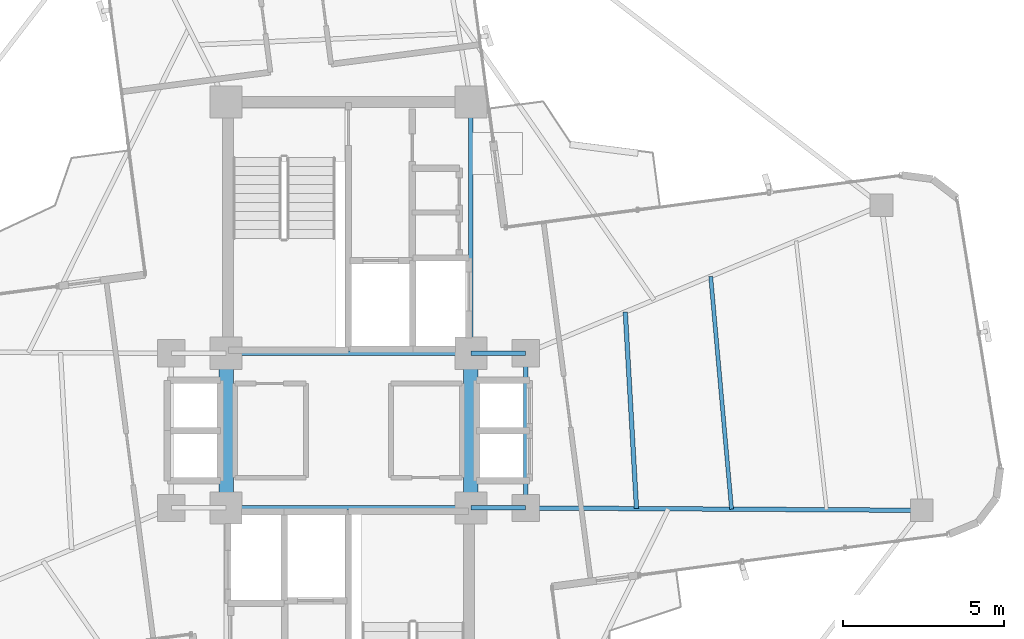
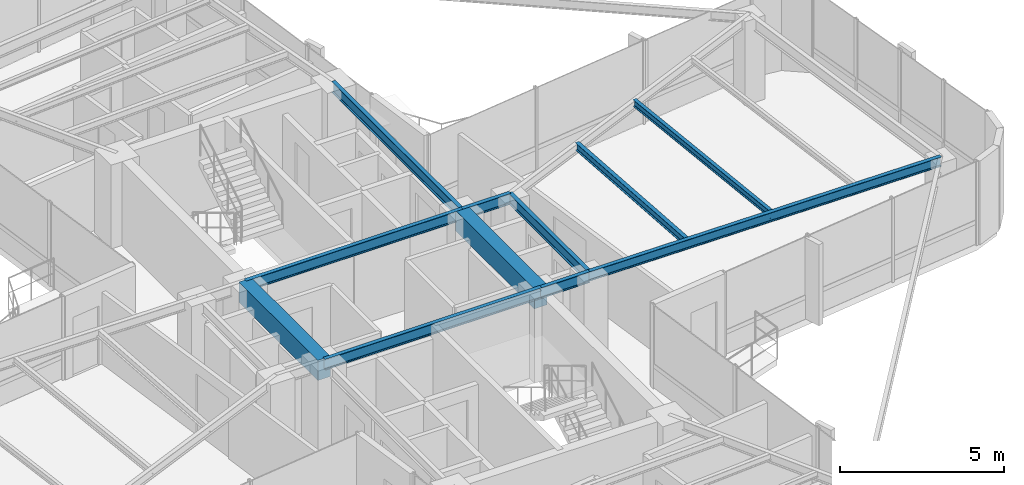
# One storey, part 10 of 22: 11 beams.
"""IFC4 building model written with IfcOpenShell, lengths in metres."""

from ifc_helpers import new_model, si_unit, direction, frame, origin, origin_2d, place, context, subcontext, project, spatial, rectangle, i_section, extrude, source, transform, mapped, material, material_profile, profile_set, type_object, element, save


model = new_model("IFC4")

# Units and contexts
model_context = context("Model", 3, precision=1e-05, world=origin(), true_north=direction((0.0, 1.0)))
body_context = subcontext(model_context, "Body", "Model", "MODEL_VIEW")
ifc_project = project(units=[si_unit("LENGTHUNIT", "METRE"), si_unit("AREAUNIT", "SQUARE_METRE"), si_unit("VOLUMEUNIT", "CUBIC_METRE"), si_unit("PLANEANGLEUNIT", "RADIAN"), si_unit("MASSUNIT", "GRAM", prefix="KILO")], contexts=[model_context])

# Site, building, storey
site_placement = place(None, origin())
site = spatial("IfcSite", under=ifc_project, at=site_placement, CompositionType="ELEMENT")
building_placement = place(site_placement, origin())
building = spatial("IfcBuilding", under=site, at=building_placement, Name="Sahyath Konkavel Grand Hotel", CompositionType="ELEMENT")
storey_placement = place(building_placement, frame((0.0, 0.0, 237.800048828125)))
storey = spatial("IfcBuildingStorey", under=building, at=storey_placement, Name="L66", CompositionType="ELEMENT", Elevation=237.800048828125)

# Beams
ifc_material_1 = material(Name="Steel E350", Category="steel")
ifc_material_profile_1 = material_profile(ifc_material_1, i_section(OverallWidth=0.139892578125, OverallDepth=0.39990234375, WebThickness=0.0087890625, FlangeThickness=0.01611328125, FilletRadius=0.013916015625, at=origin_2d()), Name="ISMB 400")
ifc_profile_set_1 = profile_set([ifc_material_profile_1], Name="Steel E350")
beam_type_1 = type_object("IfcBeamType", Name="BM-ISMB400", PredefinedType="BEAM", material=ifc_profile_set_1)
shared_shape_1 = source(origin(), body_context, "Body", "SweptSolid", [
    extrude(i_section(OverallWidth=0.139892578125, OverallDepth=0.39990234375, WebThickness=0.0087890625, FlangeThickness=0.01611328125, FilletRadius=0.013916015625, at=origin_2d()), origin(), (0.0, 0.0, 1.0), 7.60009765625),
])
for number, where, z_axis, x_axis, name in (
    (1, (-3.800048828125, 2.39990234375, 2.909912109375), (1.0, 0.0, 0.0), (0.0, 1.0, 0.0), "str:bm:L66:NC-S"),
    (2, (-3.800048828125, -2.39990234375, 2.909912109375), (1.0, 0.0, 0.0), (0.0, 1.0, 0.0), "str:bm:L66:SC-N"),
):
    element("IfcBeam", number, at=place(storey_placement, frame(where, z_axis=z_axis, x_axis=x_axis)), inside=storey, type_object=beam_type_1, Name=name, PredefinedType="BEAM", context=body_context, shape_type="MappedRepresentation", body=[
        mapped(shared_shape_1, transform((0.0, 0.0, 0.0), scale=1.0)),
    ])
shared_shape_2 = source(origin(), body_context, "Body", "SweptSolid", [
    extrude(i_section(OverallWidth=0.139892578125, OverallDepth=0.39990234375, WebThickness=0.0087890625, FlangeThickness=0.01611328125, FilletRadius=0.013916015625, at=origin_2d()), origin(), (0.0, 0.0, 1.0), 7.800048828125),
])
beam_1_placement = place(storey_placement, frame((3.800048828125, 2.39990234375, 2.909912109375), z_axis=(0.0, 1.0, 0.0), x_axis=(-1.0, 0.0, 0.0)))
element("IfcBeam", 3, at=beam_1_placement, inside=storey, type_object=beam_type_1, Name="str:bm:L66:NC-E", PredefinedType="BEAM", context=body_context, shape_type="MappedRepresentation", body=[
    mapped(shared_shape_2, transform((0.0, 0.0, 0.0), scale=1.0)),
])
shared_shape_3 = source(origin(), body_context, "Body", "SweptSolid", [
    extrude(i_section(OverallWidth=0.139892578125, OverallDepth=0.39990234375, WebThickness=0.0087890625, FlangeThickness=0.01611328125, FilletRadius=0.013916015625, at=origin_2d()), origin(), (0.0, 0.0, 1.0), 1.699951171875),
])
for number, where, z_axis, x_axis, name in (
    (4, (3.800048828125, 2.39990234375, 2.909912109375), (1.0, 0.0, 0.0), (0.0, 1.0, 0.0), "str:bm:L66:HB-NE"),
    (5, (3.800048828125, -2.39990234375, 2.909912109375), (1.0, 0.0, 0.0), (0.0, 1.0, 0.0), "str:bm:L66:HB-SE"),
):
    element("IfcBeam", number, at=place(storey_placement, frame(where, z_axis=z_axis, x_axis=x_axis)), inside=storey, type_object=beam_type_1, Name=name, PredefinedType="BEAM", context=body_context, shape_type="MappedRepresentation", body=[
        mapped(shared_shape_3, transform((0.0, 0.0, 0.0), scale=1.0)),
    ])
shared_shape_4 = source(origin(), body_context, "Body", "SweptSolid", [
    extrude(i_section(OverallWidth=0.139892578125, OverallDepth=0.39990234375, WebThickness=0.0087890625, FlangeThickness=0.01611328125, FilletRadius=0.013916015625, at=origin_2d()), origin(), (0.0, 0.0, 1.0), 4.7998046875),
])
beam_2_placement = place(storey_placement, frame((5.5, -2.39990234375, 2.909912109375), z_axis=(0.0, 1.0, 0.0), x_axis=(-1.0, 0.0, 0.0)))
element("IfcBeam", 6, at=beam_2_placement, inside=storey, type_object=beam_type_1, Name="str:bm:L66:HB-E", PredefinedType="BEAM", context=body_context, shape_type="MappedRepresentation", body=[
    mapped(shared_shape_4, transform((0.0, 0.0, 0.0), scale=1.0)),
])
ifc_material_2 = material(Name="Concrete C40/50", Category="concrete")
ifc_material_profile_2 = material_profile(ifc_material_2, rectangle(XDim=0.449951171875, YDim=0.75, at=origin_2d()), Name="RC 450x750")
ifc_profile_set_2 = profile_set([ifc_material_profile_2], Name="Concrete C40/50")
beam_type_2 = type_object("IfcBeamType", Name="BM-CB450x750", PredefinedType="LINTEL", material=ifc_profile_set_2)
shared_shape_5 = source(origin(), body_context, "Body", "SweptSolid", [
    extrude(rectangle(XDim=0.449951171875, YDim=0.75, at=origin_2d()), origin(), (0.0, 0.0, 1.0), 4.7998046875),
])
for number, where, z_axis, x_axis, name in (
    (7, (-3.800048828125, -2.39990234375, 2.73486328125), (0.0, 1.0, 0.0), (-1.0, 0.0, 0.0), "L66 Split-Core Coupling Beam West"),
    (8, (3.800048828125, -2.39990234375, 2.73486328125), (0.0, 1.0, 0.0), (-1.0, 0.0, 0.0), "L66 Split-Core Coupling Beam East"),
):
    element("IfcBeam", number, at=place(storey_placement, frame(where, z_axis=z_axis, x_axis=x_axis)), inside=storey, type_object=beam_type_2, Name=name, PredefinedType="LINTEL", context=body_context, shape_type="MappedRepresentation", body=[
        mapped(shared_shape_5, transform((0.0, 0.0, 0.0), scale=1.0)),
    ])
ifc_material_profile_3 = material_profile(ifc_material_1, i_section(OverallWidth=0.139892578125, OverallDepth=0.35009765625, WebThickness=0.008056640625, FlangeThickness=0.01416015625, FilletRadius=0.013916015625, at=origin_2d()), Name="ISMB 350")
ifc_profile_set_3 = profile_set([ifc_material_profile_3], Name="Steel E350")
beam_type_3 = type_object("IfcBeamType", Name="BM-ISMB350", PredefinedType="BEAM", material=ifc_profile_set_3)
shared_shape_6 = source(origin(), body_context, "Body", "SweptSolid", [
    extrude(i_section(OverallWidth=0.139892578125, OverallDepth=0.35009765625, WebThickness=0.008056640625, FlangeThickness=0.01416015625, FilletRadius=0.013916015625, at=origin_2d()), origin(), (0.0, 0.0, 1.0), 12.29541015625),
])
beam_3_placement = place(storey_placement, frame((5.5, -2.39990234375, 2.93505859375), z_axis=(0.999982139128, -0.005976740412, 0.0), x_axis=(0.005976740412, 0.999982139128, 0.0)))
element("IfcBeam", 9, at=beam_3_placement, inside=storey, type_object=beam_type_3, Name="L66 Cruciform Radial Girder EA", PredefinedType="BEAM", context=body_context, shape_type="MappedRepresentation", body=[
    mapped(shared_shape_6, transform((0.0, 0.0, 0.0), scale=1.0)),
])
ifc_material_profile_4 = material_profile(ifc_material_1, i_section(OverallWidth=0.139892578125, OverallDepth=0.27490234375, WebThickness=0.00634765625, FlangeThickness=0.0087890625, FilletRadius=0.012939453125, at=origin_2d()), Name="ISLB 275")
ifc_profile_set_4 = profile_set([ifc_material_profile_4], Name="Steel E350")
beam_type_4 = type_object("IfcBeamType", Name="BM-ISLB275", PredefinedType="BEAM", material=ifc_profile_set_4)
shared_shape_7 = source(origin(), body_context, "Body", "SweptSolid", [
    extrude(i_section(OverallWidth=0.139892578125, OverallDepth=0.27490234375, WebThickness=0.00634765625, FlangeThickness=0.0087890625, FilletRadius=0.012939453125, at=origin_2d()), origin(), (0.0, 0.0, 1.0), 6.1171875),
])
beam_4_placement = place(storey_placement, frame((8.942626953125, -2.420654296875, 2.972412109375), z_axis=(-0.0570725225, 0.998370035195, 0.0), x_axis=(-0.998370035195, -0.0570725225, 0.0)))
element("IfcBeam", 10, at=beam_4_placement, inside=storey, type_object=beam_type_4, Name="L66 Secondary Floor Beam E-1", PredefinedType="BEAM", context=body_context, shape_type="MappedRepresentation", body=[
    mapped(shared_shape_7, transform((0.0, 0.0, 0.0), scale=1.0)),
])
ifc_material_profile_5 = material_profile(ifc_material_1, i_section(OverallWidth=0.125, OverallDepth=0.25, WebThickness=0.0068359375, FlangeThickness=0.012451171875, FilletRadius=0.012939453125, at=origin_2d()), Name="ISMB 250")
ifc_profile_set_5 = profile_set([ifc_material_profile_5], Name="Steel E350")
beam_type_5 = type_object("IfcBeamType", Name="BM-ISMB250", PredefinedType="BEAM", material=ifc_profile_set_5)
shared_shape_8 = source(origin(), body_context, "Body", "SweptSolid", [
    extrude(i_section(OverallWidth=0.125, OverallDepth=0.25, WebThickness=0.0068359375, FlangeThickness=0.012451171875, FilletRadius=0.012939453125, at=origin_2d()), origin(), (0.0, 0.0, 1.0), 7.256591796875),
])
beam_5_placement = place(storey_placement, frame((11.8935546875, -2.438232421875, 2.98486328125), z_axis=(-0.089325315772, 0.996002503994, 0.0), x_axis=(-0.996002503994, -0.089325315772, 0.0)))
element("IfcBeam", 11, at=beam_5_placement, inside=storey, type_object=beam_type_5, Name="L66 Secondary Floor Beam E-2", PredefinedType="BEAM", context=body_context, shape_type="MappedRepresentation", body=[
    mapped(shared_shape_8, transform((0.0, 0.0, 0.0), scale=1.0)),
])

save(model, "model.ifc")
